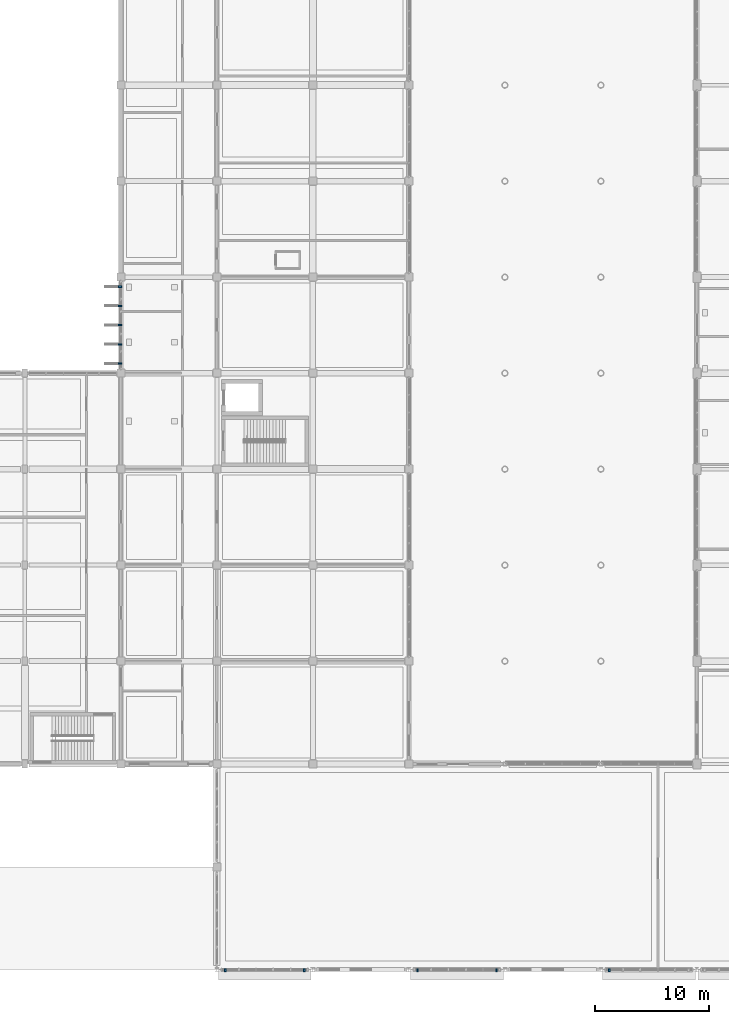
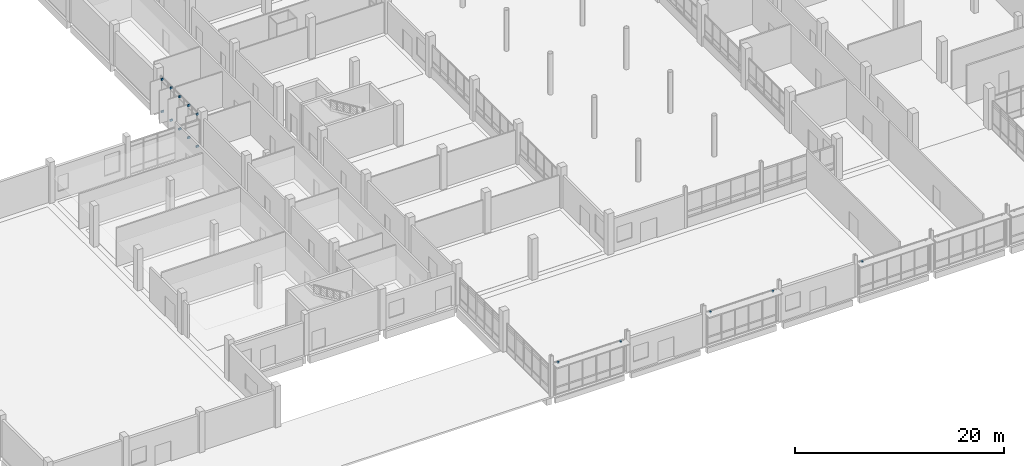
# One storey, part 85 of 95: 15 discrete accessories.
"""IFC4 building model written with IfcOpenShell, lengths in metres."""

from ifc_helpers import new_model, si_unit, direction, frame, origin, origin_2d, place, context, subcontext, project, spatial, rectangle, extrude, material, type_object, element, save


model = new_model("IFC4")

# Units and contexts
model_context = context("Model", 3, precision=1e-05, world=origin(), true_north=direction((0.0, 1.0)))
body_context = subcontext(model_context, "Body", "Model", "MODEL_VIEW")
ifc_project = project(units=[si_unit("LENGTHUNIT", "METRE"), si_unit("AREAUNIT", "SQUARE_METRE"), si_unit("VOLUMEUNIT", "CUBIC_METRE"), si_unit("PLANEANGLEUNIT", "RADIAN"), si_unit("MASSUNIT", "GRAM", prefix="KILO")], contexts=[model_context])

# Site, building, storey
site_placement = place(None, origin())
site = spatial("IfcSite", under=ifc_project, at=site_placement, CompositionType="ELEMENT")
building_placement = place(site_placement, origin())
building = spatial("IfcBuilding", under=site, at=building_placement, Name="Vireocrest Preparatory School", CompositionType="ELEMENT")
storey_placement = place(building_placement, origin())
storey = spatial("IfcBuildingStorey", under=building, at=storey_placement, Name="L00", CompositionType="ELEMENT", Elevation=0.0)

# Discrete accessories
ifc_material = material(Name="Structural steel ASTM A572 Grade 50", Category="steel")
discrete_accessory_type = type_object("IfcDiscreteAccessoryType", Name="Slab-Edge Steel Outrigger Fin Bracket", PredefinedType="BRACKET", material=ifc_material)
for number, where, z_axis, x_axis, name in (
    (1, (41.929931640625, 53.0400390625, -0.08984375), (0.0, 0.0, 1.0), (0.0, 1.0, 0.0), "Solar Fin Outrigger Bracket BK1 L00-3-1-BOT"),
    (2, (41.929931640625, 53.0400390625, 3.68212890625), (0.0, 0.0, 1.0), (0.0, 1.0, 0.0), "Solar Fin Outrigger Bracket BK1 L00-3-1-TOP"),
    (3, (41.929931640625, 54.719970703125, -0.08984375), (0.0, 0.0, 1.0), (0.0, 1.0, 0.0), "Solar Fin Outrigger Bracket BK1 L00-3-2-BOT"),
    (4, (41.929931640625, 54.719970703125, 3.68212890625), (0.0, 0.0, 1.0), (0.0, 1.0, 0.0), "Solar Fin Outrigger Bracket BK1 L00-3-2-TOP"),
    (5, (41.929931640625, 56.39990234375, -0.08984375), (0.0, 0.0, 1.0), (0.0, 1.0, 0.0), "Solar Fin Outrigger Bracket BK1 L00-3-3-BOT"),
    (6, (41.929931640625, 56.39990234375, 3.68212890625), (0.0, 0.0, 1.0), (0.0, 1.0, 0.0), "Solar Fin Outrigger Bracket BK1 L00-3-3-TOP"),
    (7, (41.929931640625, 58.080078125, -0.08984375), (0.0, 0.0, 1.0), (0.0, 1.0, 0.0), "Solar Fin Outrigger Bracket BK1 L00-3-4-BOT"),
    (8, (41.929931640625, 58.080078125, 3.68212890625), (0.0, 0.0, 1.0), (0.0, 1.0, 0.0), "Solar Fin Outrigger Bracket BK1 L00-3-4-TOP"),
    (9, (41.929931640625, 59.760009765625, -0.08984375), (0.0, 0.0, 1.0), (0.0, 1.0, 0.0), "Solar Fin Outrigger Bracket BK1 L00-3-5-BOT"),
    (10, (41.929931640625, 59.760009765625, 3.68212890625), (0.0, 0.0, 1.0), (0.0, 1.0, 0.0), "Solar Fin Outrigger Bracket BK1 L00-3-5-TOP"),
):
    element("IfcDiscreteAccessory", number, at=place(storey_placement, frame(where, z_axis=z_axis, x_axis=x_axis)), inside=storey, type_object=discrete_accessory_type, Name=name, PredefinedType="BRACKET", context=body_context, shape_type="SweptSolid", body=[
        extrude(rectangle(XDim=0.139892578125, YDim=0.300048828125, at=origin_2d()), origin(), (0.0, 0.0, 1.0), 0.219970703125),
    ])
for number, where, z_axis, x_axis, name in (
    (11, (51.12744140625, -0.050048828125, 3.6572265625), (0.0, 0.0, 1.0), (1.0, 0.0, 0.0), "Sunshade Bracket BK1-013W"),
    (12, (58.04052734375, -0.050048828125, 3.6572265625), (0.0, 0.0, 1.0), (1.0, 0.0, 0.0), "Sunshade Bracket BK1-013E"),
    (13, (67.95947265625, -0.050048828125, 3.6572265625), (0.0, 0.0, 1.0), (1.0, 0.0, 0.0), "Sunshade Bracket BK1-014W"),
    (14, (74.87255859375, -0.050048828125, 3.6572265625), (0.0, 0.0, 1.0), (1.0, 0.0, 0.0), "Sunshade Bracket BK1-014E"),
    (15, (84.7275390625, -0.050048828125, 3.6572265625), (0.0, 0.0, 1.0), (1.0, 0.0, 0.0), "Sunshade Bracket BK1-015W"),
):
    element("IfcDiscreteAccessory", number, at=place(storey_placement, frame(where, z_axis=z_axis, x_axis=x_axis)), inside=storey, type_object=discrete_accessory_type, Name=name, PredefinedType="BRACKET", context=body_context, shape_type="SweptSolid", body=[
        extrude(rectangle(XDim=0.159912109375, YDim=0.239990234375, at=origin_2d()), origin(), (0.0, 0.0, 1.0), 0.199951171875),
    ])

save(model, "model.ifc")
